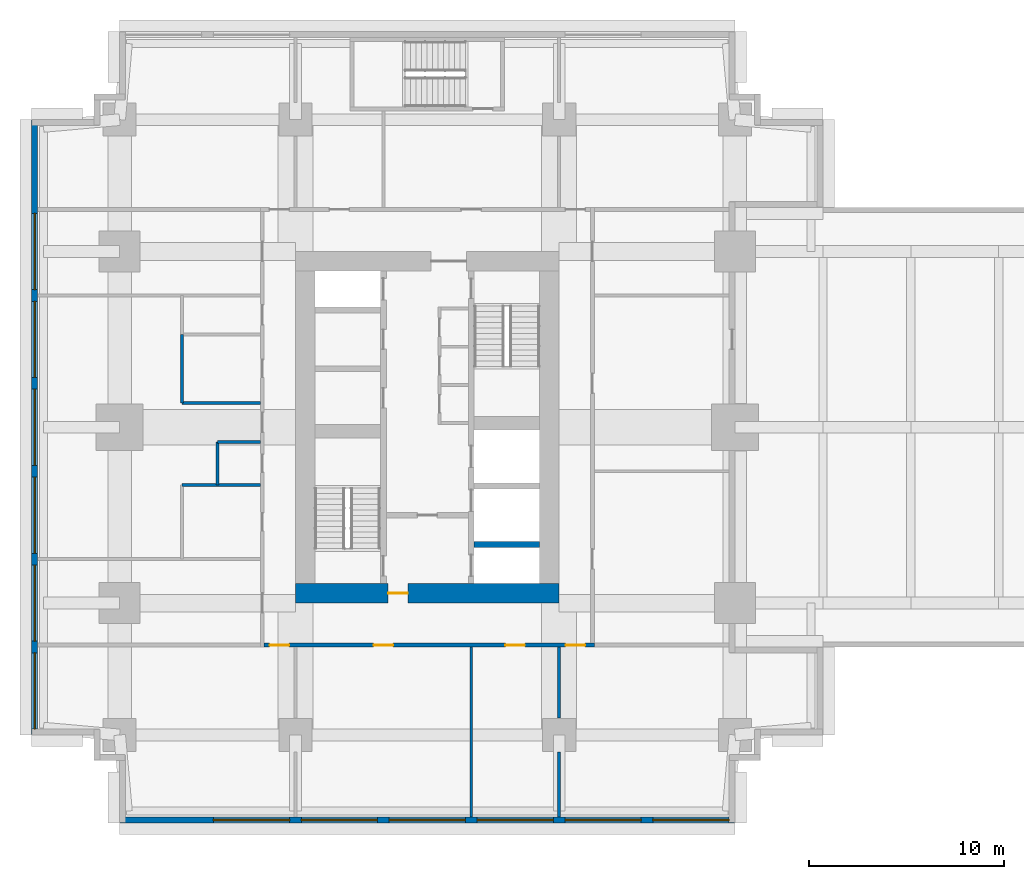
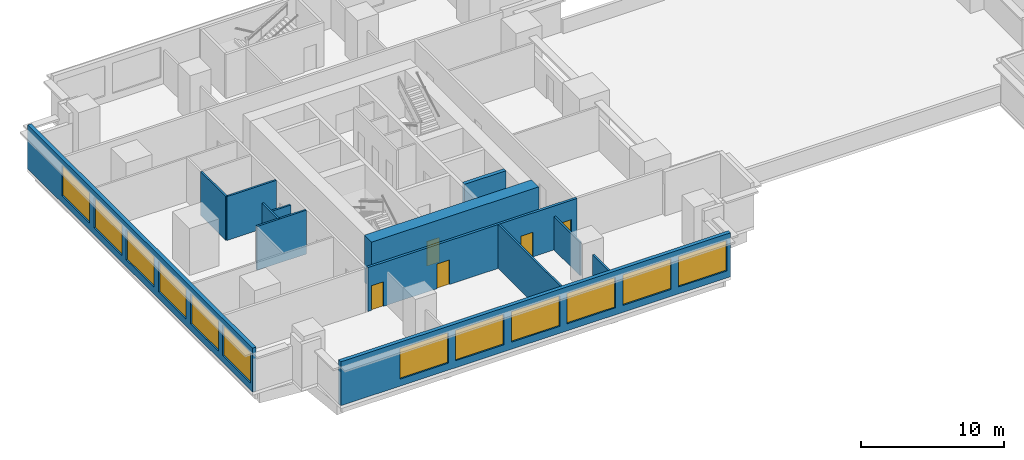
# One storey, part 3 of 10: 13 walls, 12 windows, 5 doors, 17 openings.
"""IFC4 building model written with IfcOpenShell, lengths in metres."""

from ifc_helpers import new_model, si_unit, direction, frame, frame_2d, origin, place, context, subcontext, project, spatial, rectangle, extrude, material, layer, layer_set, type_object, element, fill, save


model = new_model("IFC4")

# Units and contexts
model_context = context("Model", 3, precision=1e-05, world=origin(), true_north=direction((0.0, 1.0)))
body_context = subcontext(model_context, "Body", "Model", "MODEL_VIEW")
ifc_project = project(units=[si_unit("LENGTHUNIT", "METRE"), si_unit("AREAUNIT", "SQUARE_METRE"), si_unit("VOLUMEUNIT", "CUBIC_METRE"), si_unit("PLANEANGLEUNIT", "RADIAN"), si_unit("MASSUNIT", "GRAM", prefix="KILO")], contexts=[model_context])

# Site, building, storey
site_placement = place(None, origin())
site = spatial("IfcSite", under=ifc_project, at=site_placement, CompositionType="ELEMENT")
building_placement = place(site_placement, origin())
building = spatial("IfcBuilding", under=site, at=building_placement, Name="Namib Vertical Campus", CompositionType="ELEMENT")
storey_placement = place(building_placement, frame((0.0, 0.0, 137.0)))
storey = spatial("IfcBuildingStorey", under=building, at=storey_placement, Name="L32", CompositionType="ELEMENT", Elevation=137.0)

# Wall
ifc_material_1 = material(Name="Concrete C60/75", Category="concrete")
ifc_layer_1 = layer(ifc_material_1, 0.300048828125)
ifc_layer_set_1 = layer_set([ifc_layer_1], Name="Concrete C60/75")
wall_type_1 = type_object("IfcWallType", Name="Core inner wall 300", PredefinedType="SHEAR", material=ifc_layer_set_1)
wall_1_placement = place(storey_placement, frame((22.64990234375, 14.25, 0.0), z_axis=(0.0, 0.0, 1.0), x_axis=(1.0, 0.0, 0.0)))
element("IfcWall", 1, at=wall_1_placement, inside=storey, type_object=wall_type_1, Name="Core inner wall A L32 W5", PredefinedType="SHEAR", context=body_context, shape_type="SweptSolid", body=[
    extrude(rectangle(XDim=3.35009765625, YDim=0.300048828125, at=frame_2d((1.675048828125, 0.0))), origin(), (0.0, 0.0, 1.0), 4.0),
])

# Wall, opening, door
ifc_material_2 = material(Name="Concrete C60/75", Category="concrete")
ifc_layer_2 = layer(ifc_material_2, 1.0)
ifc_layer_set_2 = layer_set([ifc_layer_2], Name="Concrete C60/75")
wall_type_2 = type_object("IfcWallType", Name="Core wall 1000", PredefinedType="SHEAR", material=ifc_layer_set_2)
wall_2_placement = place(storey_placement, frame((13.5, 11.75, 0.0), z_axis=(0.0, 0.0, 1.0), x_axis=(1.0, 0.0, 0.0)))
wall_2 = element("IfcWall", 2, at=wall_2_placement, inside=storey, type_object=wall_type_2, Name="Core wall A L32 1", PredefinedType="SHEAR", context=body_context, shape_type="SweptSolid", body=[
    extrude(rectangle(XDim=13.5, YDim=1.0, at=frame_2d((6.75, 0.0))), origin(), (0.0, 0.0, 1.0), 4.0),
])
opening_1_placement = place(wall_2_placement, frame((4.75, 0.0, 0.0)))
opening_1 = element("IfcOpeningElement", 3, at=opening_1_placement, cuts=wall_2, Name="Opening FD5", PredefinedType="OPENING", context=body_context, shape_type="SweptSolid", body=[
    extrude(rectangle(XDim=1.0, YDim=2.10009765625, at=frame_2d((0.5, 1.050048828125))), frame((0.0, 0.510009765625, 0.0), z_axis=(0.0, -1.0, 0.0), x_axis=(1.0, 0.0, 0.0)), (0.0, 0.0, 1.0), 1.02001953125),
])
ifc_material_3 = material(Name="Steel fire door", Category="steel")
door_type_1 = type_object("IfcDoorType", Name="Fire door 1000x2100 120 min", OperationType="SINGLE_SWING_RIGHT", PredefinedType="DOOR", material=ifc_material_3)
door_1_placement = place(opening_1_placement, origin())
door_1 = element("IfcDoor", 4, at=door_1_placement, inside=storey, type_object=door_type_1, Name="Firefighting lobby door FD5 A L32", OperationType="SINGLE_SWING_LEFT", OverallHeight=2.10009765625, OverallWidth=1.0, PredefinedType="DOOR", context=body_context, shape_type="SweptSolid", body=[
    extrude(rectangle(XDim=1.0, YDim=2.10009765625, at=frame_2d((0.5, 1.050048828125))), frame((0.0, 0.02490234375, 0.0), z_axis=(0.0, -1.0, 0.0), x_axis=(1.0, 0.0, 0.0)), (0.0, 0.0, 1.0), 0.050048828125),
])
fill(opening_1, door_1)

# Wall, openings, doors
ifc_material_4 = material(Name="Concrete masonry", Category="masonry")
ifc_layer_3 = layer(ifc_material_4, 0.199951171875)
ifc_layer_set_3 = layer_set([ifc_layer_3], Name="Corridor wall 200")
wall_type_3 = type_object("IfcWallType", Name="Corridor wall 200", PredefinedType="SOLIDWALL", material=ifc_layer_set_3)
wall_3_placement = place(storey_placement, frame((11.89990234375, 9.10009765625, 0.0), z_axis=(0.0, 0.0, 1.0), x_axis=(1.0, 0.0, 0.0)))
wall_3 = element("IfcWall", 5, at=wall_3_placement, inside=storey, type_object=wall_type_3, Name="Corridor wall A L32 CS", PredefinedType="SOLIDWALL", context=body_context, shape_type="SweptSolid", body=[
    extrude(rectangle(XDim=16.900146484375, YDim=0.199951171875, at=frame_2d((8.4501953125, 0.0))), origin(), (0.0, 0.0, 1.0), 3.75),
])
opening_2_placement = place(wall_3_placement, frame((0.27490234375, 0.0, 0.0)))
opening_2 = element("IfcOpeningElement", 6, at=opening_2_placement, cuts=wall_3, Name="Opening CD1", PredefinedType="OPENING", context=body_context, shape_type="SweptSolid", body=[
    extrude(rectangle(XDim=1.0, YDim=2.10009765625, at=frame_2d((0.5, 1.050048828125))), frame((0.0, 0.10986328125, 0.0), z_axis=(0.0, -1.0, 0.0), x_axis=(1.0, 0.0, 0.0)), (0.0, 0.0, 1.0), 0.219970703125),
])
opening_3_placement = place(wall_3_placement, frame((5.60009765625, 0.0, 0.0)))
opening_3 = element("IfcOpeningElement", 7, at=opening_3_placement, cuts=wall_3, Name="Opening CD1", PredefinedType="OPENING", context=body_context, shape_type="SweptSolid", body=[
    extrude(rectangle(XDim=1.0, YDim=2.10009765625, at=frame_2d((0.5, 1.050048828125))), frame((0.0, 0.10986328125, 0.0), z_axis=(0.0, -1.0, 0.0), x_axis=(1.0, 0.0, 0.0)), (0.0, 0.0, 1.0), 0.219970703125),
])
opening_4_placement = place(wall_3_placement, frame((12.35009765625, 0.0, 0.0)))
opening_4 = element("IfcOpeningElement", 8, at=opening_4_placement, cuts=wall_3, Name="Opening CD1", PredefinedType="OPENING", context=body_context, shape_type="SweptSolid", body=[
    extrude(rectangle(XDim=1.0, YDim=2.10009765625, at=frame_2d((0.5, 1.050048828125))), frame((0.0, 0.10986328125, 0.0), z_axis=(0.0, -1.0, 0.0), x_axis=(1.0, 0.0, 0.0)), (0.0, 0.0, 1.0), 0.219970703125),
])
opening_5_placement = place(wall_3_placement, frame((15.425048828125, 0.0, 0.0)))
opening_5 = element("IfcOpeningElement", 9, at=opening_5_placement, cuts=wall_3, Name="Opening CD1", PredefinedType="OPENING", context=body_context, shape_type="SweptSolid", body=[
    extrude(rectangle(XDim=1.0, YDim=2.10009765625, at=frame_2d((0.5, 1.050048828125))), frame((0.0, 0.10986328125, 0.0), z_axis=(0.0, -1.0, 0.0), x_axis=(1.0, 0.0, 0.0)), (0.0, 0.0, 1.0), 0.219970703125),
])
ifc_material_5 = material(Name="Timber fire door leaf", Category="wood")
door_type_2 = type_object("IfcDoorType", Name="Corridor door 1000x2100 20 min", OperationType="SINGLE_SWING_LEFT", PredefinedType="DOOR", material=ifc_material_5)
door_2_placement = place(opening_2_placement, frame((1.0, 0.0, 0.0), z_axis=(0.0, 0.0, 1.0), x_axis=(-1.0, 0.0, 0.0)))
door_2 = element("IfcDoor", 10, at=door_2_placement, inside=storey, type_object=door_type_2, Name="Door CD1 A32-01", OperationType="SINGLE_SWING_LEFT", OverallHeight=2.10009765625, OverallWidth=1.0, PredefinedType="DOOR", context=body_context, shape_type="SweptSolid", body=[
    extrude(rectangle(XDim=1.0, YDim=2.10009765625, at=frame_2d((0.5, 1.050048828125))), frame((0.0, 0.02490234375, 0.0), z_axis=(0.0, -1.0, 0.0), x_axis=(1.0, 0.0, 0.0)), (0.0, 0.0, 1.0), 0.050048828125),
])
fill(opening_2, door_2)
door_3_placement = place(opening_3_placement, frame((1.0, 0.0, 0.0), z_axis=(0.0, 0.0, 1.0), x_axis=(-1.0, 0.0, 0.0)))
door_3 = element("IfcDoor", 11, at=door_3_placement, inside=storey, type_object=door_type_2, Name="Door CD1 A32-02", OperationType="SINGLE_SWING_RIGHT", OverallHeight=2.10009765625, OverallWidth=1.0, PredefinedType="DOOR", context=body_context, shape_type="SweptSolid", body=[
    extrude(rectangle(XDim=1.0, YDim=2.10009765625, at=frame_2d((0.5, 1.050048828125))), frame((0.0, 0.02490234375, 0.0), z_axis=(0.0, -1.0, 0.0), x_axis=(1.0, 0.0, 0.0)), (0.0, 0.0, 1.0), 0.050048828125),
])
fill(opening_3, door_3)
door_4_placement = place(opening_4_placement, frame((1.0, 0.0, 0.0), z_axis=(0.0, 0.0, 1.0), x_axis=(-1.0, 0.0, 0.0)))
door_4 = element("IfcDoor", 12, at=door_4_placement, inside=storey, type_object=door_type_2, Name="Door CD1 A32-03", OperationType="SINGLE_SWING_RIGHT", OverallHeight=2.10009765625, OverallWidth=1.0, PredefinedType="DOOR", context=body_context, shape_type="SweptSolid", body=[
    extrude(rectangle(XDim=1.0, YDim=2.10009765625, at=frame_2d((0.5, 1.050048828125))), frame((0.0, 0.02490234375, 0.0), z_axis=(0.0, -1.0, 0.0), x_axis=(1.0, 0.0, 0.0)), (0.0, 0.0, 1.0), 0.050048828125),
])
fill(opening_4, door_4)
door_5_placement = place(opening_5_placement, frame((1.0, 0.0, 0.0), z_axis=(0.0, 0.0, 1.0), x_axis=(-1.0, 0.0, 0.0)))
door_5 = element("IfcDoor", 13, at=door_5_placement, inside=storey, type_object=door_type_2, Name="Door CD1 A32-04", OperationType="SINGLE_SWING_RIGHT", OverallHeight=2.10009765625, OverallWidth=1.0, PredefinedType="DOOR", context=body_context, shape_type="SweptSolid", body=[
    extrude(rectangle(XDim=1.0, YDim=2.10009765625, at=frame_2d((0.5, 1.050048828125))), frame((0.0, 0.02490234375, 0.0), z_axis=(0.0, -1.0, 0.0), x_axis=(1.0, 0.0, 0.0)), (0.0, 0.0, 1.0), 0.050048828125),
])
fill(opening_5, door_5)

# Wall, openings, windows
ifc_material_6 = material(Name="Concrete C40/50", Category="concrete")
ifc_layer_4 = layer(ifc_material_6, 0.300048828125)
ifc_layer_set_4 = layer_set([ifc_layer_4], Name="Concrete C40/50")
wall_type_4 = type_object("IfcWallType", Name="External wall 300 board-marked concrete", PredefinedType="STANDARD", material=ifc_layer_set_4)
wall_4_placement = place(storey_placement, frame((4.52001953125, 0.14990234375, 0.0), z_axis=(0.0, 0.0, 1.0), x_axis=(1.0, 0.0, 0.0)))
wall_4 = element("IfcWall", 14, at=wall_4_placement, inside=storey, type_object=wall_type_4, Name="External wall L32 F02", PredefinedType="STANDARD", context=body_context, shape_type="SweptSolid", body=[
    extrude(rectangle(XDim=31.4599609375, YDim=0.300048828125, at=frame_2d((15.72998046875, 0.0))), origin(), (0.0, 0.0, 1.0), 3.75),
])
opening_6_placement = place(wall_4_placement, frame((4.780029296875, 0.0, 0.60009765625)))
opening_6 = element("IfcOpeningElement", 15, at=opening_6_placement, cuts=wall_4, Name="Opening W2", PredefinedType="OPENING", context=body_context, shape_type="SweptSolid", body=[
    extrude(rectangle(XDim=3.89990234375, YDim=2.60009765625, at=frame_2d((1.949951171875, 1.300048828125))), frame((0.0, 0.159912109375, 0.0), z_axis=(0.0, -1.0, 0.0), x_axis=(1.0, 0.0, 0.0)), (0.0, 0.0, 1.0), 0.320068359375),
])
opening_7_placement = place(wall_4_placement, frame((9.280029296875, 0.0, 0.60009765625)))
opening_7 = element("IfcOpeningElement", 16, at=opening_7_placement, cuts=wall_4, Name="Opening W2", PredefinedType="OPENING", context=body_context, shape_type="SweptSolid", body=[
    extrude(rectangle(XDim=3.89990234375, YDim=2.60009765625, at=frame_2d((1.949951171875, 1.300048828125))), frame((0.0, 0.159912109375, 0.0), z_axis=(0.0, -1.0, 0.0), x_axis=(1.0, 0.0, 0.0)), (0.0, 0.0, 1.0), 0.320068359375),
])
opening_8_placement = place(wall_4_placement, frame((13.780029296875, 0.0, 0.60009765625)))
opening_8 = element("IfcOpeningElement", 17, at=opening_8_placement, cuts=wall_4, Name="Opening W2", PredefinedType="OPENING", context=body_context, shape_type="SweptSolid", body=[
    extrude(rectangle(XDim=3.89990234375, YDim=2.60009765625, at=frame_2d((1.949951171875, 1.300048828125))), frame((0.0, 0.159912109375, 0.0), z_axis=(0.0, -1.0, 0.0), x_axis=(1.0, 0.0, 0.0)), (0.0, 0.0, 1.0), 0.320068359375),
])
opening_9_placement = place(wall_4_placement, frame((18.280029296875, 0.0, 0.60009765625)))
opening_9 = element("IfcOpeningElement", 18, at=opening_9_placement, cuts=wall_4, Name="Opening W2", PredefinedType="OPENING", context=body_context, shape_type="SweptSolid", body=[
    extrude(rectangle(XDim=3.89990234375, YDim=2.60009765625, at=frame_2d((1.949951171875, 1.300048828125))), frame((0.0, 0.159912109375, 0.0), z_axis=(0.0, -1.0, 0.0), x_axis=(1.0, 0.0, 0.0)), (0.0, 0.0, 1.0), 0.320068359375),
])
opening_10_placement = place(wall_4_placement, frame((22.780029296875, 0.0, 0.60009765625)))
opening_10 = element("IfcOpeningElement", 19, at=opening_10_placement, cuts=wall_4, Name="Opening W2", PredefinedType="OPENING", context=body_context, shape_type="SweptSolid", body=[
    extrude(rectangle(XDim=3.89990234375, YDim=2.60009765625, at=frame_2d((1.949951171875, 1.300048828125))), frame((0.0, 0.159912109375, 0.0), z_axis=(0.0, -1.0, 0.0), x_axis=(1.0, 0.0, 0.0)), (0.0, 0.0, 1.0), 0.320068359375),
])
opening_11_placement = place(wall_4_placement, frame((27.280029296875, 0.0, 0.60009765625)))
opening_11 = element("IfcOpeningElement", 20, at=opening_11_placement, cuts=wall_4, Name="Opening W2", PredefinedType="OPENING", context=body_context, shape_type="SweptSolid", body=[
    extrude(rectangle(XDim=3.89990234375, YDim=2.60009765625, at=frame_2d((1.949951171875, 1.300048828125))), frame((0.0, 0.159912109375, 0.0), z_axis=(0.0, -1.0, 0.0), x_axis=(1.0, 0.0, 0.0)), (0.0, 0.0, 1.0), 0.320068359375),
])
ifc_material_7 = material(Name="Dark tinted glass in black aluminium frame", Category="aluminium")
window_type = type_object("IfcWindowType", Name="Ribbon window 3900x2600", PartitioningType="SINGLE_PANEL", PredefinedType="WINDOW", material=ifc_material_7)
window_1_placement = place(opening_6_placement, origin())
window_1 = element("IfcWindow", 21, at=window_1_placement, inside=storey, type_object=window_type, Name="Window W2 L32 F02-2", OverallHeight=2.60009765625, OverallWidth=3.89990234375, PartitioningType="SINGLE_PANEL", PredefinedType="WINDOW", context=body_context, shape_type="SweptSolid", body=[
    extrude(rectangle(XDim=3.89990234375, YDim=2.60009765625, at=frame_2d((1.949951171875, 1.300048828125))), frame((0.0, 0.030029296875, 0.0), z_axis=(0.0, -1.0, 0.0), x_axis=(1.0, 0.0, 0.0)), (0.0, 0.0, 1.0), 0.06005859375),
])
fill(opening_6, window_1)
window_2_placement = place(opening_7_placement, origin())
window_2 = element("IfcWindow", 22, at=window_2_placement, inside=storey, type_object=window_type, Name="Window W2 L32 F02-3", OverallHeight=2.60009765625, OverallWidth=3.89990234375, PartitioningType="SINGLE_PANEL", PredefinedType="WINDOW", context=body_context, shape_type="SweptSolid", body=[
    extrude(rectangle(XDim=3.89990234375, YDim=2.60009765625, at=frame_2d((1.949951171875, 1.300048828125))), frame((0.0, 0.030029296875, 0.0), z_axis=(0.0, -1.0, 0.0), x_axis=(1.0, 0.0, 0.0)), (0.0, 0.0, 1.0), 0.06005859375),
])
fill(opening_7, window_2)
window_3_placement = place(opening_8_placement, origin())
window_3 = element("IfcWindow", 23, at=window_3_placement, inside=storey, type_object=window_type, Name="Window W2 L32 F02-4", OverallHeight=2.60009765625, OverallWidth=3.89990234375, PartitioningType="SINGLE_PANEL", PredefinedType="WINDOW", context=body_context, shape_type="SweptSolid", body=[
    extrude(rectangle(XDim=3.89990234375, YDim=2.60009765625, at=frame_2d((1.949951171875, 1.300048828125))), frame((0.0, 0.030029296875, 0.0), z_axis=(0.0, -1.0, 0.0), x_axis=(1.0, 0.0, 0.0)), (0.0, 0.0, 1.0), 0.06005859375),
])
fill(opening_8, window_3)
window_4_placement = place(opening_9_placement, origin())
window_4 = element("IfcWindow", 24, at=window_4_placement, inside=storey, type_object=window_type, Name="Window W2 L32 F02-5", OverallHeight=2.60009765625, OverallWidth=3.89990234375, PartitioningType="SINGLE_PANEL", PredefinedType="WINDOW", context=body_context, shape_type="SweptSolid", body=[
    extrude(rectangle(XDim=3.89990234375, YDim=2.60009765625, at=frame_2d((1.949951171875, 1.300048828125))), frame((0.0, 0.030029296875, 0.0), z_axis=(0.0, -1.0, 0.0), x_axis=(1.0, 0.0, 0.0)), (0.0, 0.0, 1.0), 0.06005859375),
])
fill(opening_9, window_4)
window_5_placement = place(opening_10_placement, origin())
window_5 = element("IfcWindow", 25, at=window_5_placement, inside=storey, type_object=window_type, Name="Window W2 L32 F02-6", OverallHeight=2.60009765625, OverallWidth=3.89990234375, PartitioningType="SINGLE_PANEL", PredefinedType="WINDOW", context=body_context, shape_type="SweptSolid", body=[
    extrude(rectangle(XDim=3.89990234375, YDim=2.60009765625, at=frame_2d((1.949951171875, 1.300048828125))), frame((0.0, 0.030029296875, 0.0), z_axis=(0.0, -1.0, 0.0), x_axis=(1.0, 0.0, 0.0)), (0.0, 0.0, 1.0), 0.06005859375),
])
fill(opening_10, window_5)
window_6_placement = place(opening_11_placement, origin())
window_6 = element("IfcWindow", 26, at=window_6_placement, inside=storey, type_object=window_type, Name="Window W2 L32 F02-7", OverallHeight=2.60009765625, OverallWidth=3.89990234375, PartitioningType="SINGLE_PANEL", PredefinedType="WINDOW", context=body_context, shape_type="SweptSolid", body=[
    extrude(rectangle(XDim=3.89990234375, YDim=2.60009765625, at=frame_2d((1.949951171875, 1.300048828125))), frame((0.0, 0.030029296875, 0.0), z_axis=(0.0, -1.0, 0.0), x_axis=(1.0, 0.0, 0.0)), (0.0, 0.0, 1.0), 0.06005859375),
])
fill(opening_11, window_6)

wall_5_placement = place(storey_placement, frame((0.14990234375, 35.97998046875, 0.0), z_axis=(0.0, 0.0, 1.0), x_axis=(0.0, -1.0, 0.0)))
wall_5 = element("IfcWall", 27, at=wall_5_placement, inside=storey, type_object=wall_type_4, Name="External wall L32 F21", PredefinedType="STANDARD", context=body_context, shape_type="SweptSolid", body=[
    extrude(rectangle(XDim=31.4599609375, YDim=0.300048828125, at=frame_2d((15.72998046875, 0.0))), origin(), (0.0, 0.0, 1.0), 3.75),
])
opening_12_placement = place(wall_5_placement, frame((27.280029296875, 0.0, 0.60009765625)))
opening_12 = element("IfcOpeningElement", 28, at=opening_12_placement, cuts=wall_5, Name="Opening W2", PredefinedType="OPENING", context=body_context, shape_type="SweptSolid", body=[
    extrude(rectangle(XDim=3.89990234375, YDim=2.60009765625, at=frame_2d((1.949951171875, 1.300048828125))), frame((0.0, 0.159912109375, 0.0), z_axis=(0.0, -1.0, 0.0), x_axis=(1.0, 0.0, 0.0)), (0.0, 0.0, 1.0), 0.320068359375),
])
opening_13_placement = place(wall_5_placement, frame((22.780029296875, 0.0, 0.60009765625)))
opening_13 = element("IfcOpeningElement", 29, at=opening_13_placement, cuts=wall_5, Name="Opening W2", PredefinedType="OPENING", context=body_context, shape_type="SweptSolid", body=[
    extrude(rectangle(XDim=3.89990234375, YDim=2.60009765625, at=frame_2d((1.949951171875, 1.300048828125))), frame((0.0, 0.159912109375, 0.0), z_axis=(0.0, -1.0, 0.0), x_axis=(1.0, 0.0, 0.0)), (0.0, 0.0, 1.0), 0.320068359375),
])
opening_14_placement = place(wall_5_placement, frame((18.280029296875, 0.0, 0.60009765625)))
opening_14 = element("IfcOpeningElement", 30, at=opening_14_placement, cuts=wall_5, Name="Opening W2", PredefinedType="OPENING", context=body_context, shape_type="SweptSolid", body=[
    extrude(rectangle(XDim=3.89990234375, YDim=2.60009765625, at=frame_2d((1.949951171875, 1.300048828125))), frame((0.0, 0.159912109375, 0.0), z_axis=(0.0, -1.0, 0.0), x_axis=(1.0, 0.0, 0.0)), (0.0, 0.0, 1.0), 0.320068359375),
])
opening_15_placement = place(wall_5_placement, frame((13.780029296875, 0.0, 0.60009765625)))
opening_15 = element("IfcOpeningElement", 31, at=opening_15_placement, cuts=wall_5, Name="Opening W2", PredefinedType="OPENING", context=body_context, shape_type="SweptSolid", body=[
    extrude(rectangle(XDim=3.89990234375, YDim=2.60009765625, at=frame_2d((1.949951171875, 1.300048828125))), frame((0.0, 0.159912109375, 0.0), z_axis=(0.0, -1.0, 0.0), x_axis=(1.0, 0.0, 0.0)), (0.0, 0.0, 1.0), 0.320068359375),
])
opening_16_placement = place(wall_5_placement, frame((9.280029296875, 0.0, 0.60009765625)))
opening_16 = element("IfcOpeningElement", 32, at=opening_16_placement, cuts=wall_5, Name="Opening W2", PredefinedType="OPENING", context=body_context, shape_type="SweptSolid", body=[
    extrude(rectangle(XDim=3.89990234375, YDim=2.60009765625, at=frame_2d((1.949951171875, 1.300048828125))), frame((0.0, 0.159912109375, 0.0), z_axis=(0.0, -1.0, 0.0), x_axis=(1.0, 0.0, 0.0)), (0.0, 0.0, 1.0), 0.320068359375),
])
opening_17_placement = place(wall_5_placement, frame((4.780029296875, 0.0, 0.60009765625)))
opening_17 = element("IfcOpeningElement", 33, at=opening_17_placement, cuts=wall_5, Name="Opening W2", PredefinedType="OPENING", context=body_context, shape_type="SweptSolid", body=[
    extrude(rectangle(XDim=3.89990234375, YDim=2.60009765625, at=frame_2d((1.949951171875, 1.300048828125))), frame((0.0, 0.159912109375, 0.0), z_axis=(0.0, -1.0, 0.0), x_axis=(1.0, 0.0, 0.0)), (0.0, 0.0, 1.0), 0.320068359375),
])
window_7_placement = place(opening_12_placement, origin())
window_7 = element("IfcWindow", 34, at=window_7_placement, inside=storey, type_object=window_type, Name="Window W2 L32 F21-1", OverallHeight=2.60009765625, OverallWidth=3.89990234375, PartitioningType="SINGLE_PANEL", PredefinedType="WINDOW", context=body_context, shape_type="SweptSolid", body=[
    extrude(rectangle(XDim=3.89990234375, YDim=2.60009765625, at=frame_2d((1.949951171875, 1.300048828125))), frame((0.0, 0.030029296875, 0.0), z_axis=(0.0, -1.0, 0.0), x_axis=(1.0, 0.0, 0.0)), (0.0, 0.0, 1.0), 0.06005859375),
])
fill(opening_12, window_7)
window_8_placement = place(opening_13_placement, origin())
window_8 = element("IfcWindow", 35, at=window_8_placement, inside=storey, type_object=window_type, Name="Window W2 L32 F21-2", OverallHeight=2.60009765625, OverallWidth=3.89990234375, PartitioningType="SINGLE_PANEL", PredefinedType="WINDOW", context=body_context, shape_type="SweptSolid", body=[
    extrude(rectangle(XDim=3.89990234375, YDim=2.60009765625, at=frame_2d((1.949951171875, 1.300048828125))), frame((0.0, 0.030029296875, 0.0), z_axis=(0.0, -1.0, 0.0), x_axis=(1.0, 0.0, 0.0)), (0.0, 0.0, 1.0), 0.06005859375),
])
fill(opening_13, window_8)
window_9_placement = place(opening_14_placement, origin())
window_9 = element("IfcWindow", 36, at=window_9_placement, inside=storey, type_object=window_type, Name="Window W2 L32 F21-3", OverallHeight=2.60009765625, OverallWidth=3.89990234375, PartitioningType="SINGLE_PANEL", PredefinedType="WINDOW", context=body_context, shape_type="SweptSolid", body=[
    extrude(rectangle(XDim=3.89990234375, YDim=2.60009765625, at=frame_2d((1.949951171875, 1.300048828125))), frame((0.0, 0.030029296875, 0.0), z_axis=(0.0, -1.0, 0.0), x_axis=(1.0, 0.0, 0.0)), (0.0, 0.0, 1.0), 0.06005859375),
])
fill(opening_14, window_9)
window_10_placement = place(opening_15_placement, origin())
window_10 = element("IfcWindow", 37, at=window_10_placement, inside=storey, type_object=window_type, Name="Window W2 L32 F21-4", OverallHeight=2.60009765625, OverallWidth=3.89990234375, PartitioningType="SINGLE_PANEL", PredefinedType="WINDOW", context=body_context, shape_type="SweptSolid", body=[
    extrude(rectangle(XDim=3.89990234375, YDim=2.60009765625, at=frame_2d((1.949951171875, 1.300048828125))), frame((0.0, 0.030029296875, 0.0), z_axis=(0.0, -1.0, 0.0), x_axis=(1.0, 0.0, 0.0)), (0.0, 0.0, 1.0), 0.06005859375),
])
fill(opening_15, window_10)
window_11_placement = place(opening_16_placement, origin())
window_11 = element("IfcWindow", 38, at=window_11_placement, inside=storey, type_object=window_type, Name="Window W2 L32 F21-5", OverallHeight=2.60009765625, OverallWidth=3.89990234375, PartitioningType="SINGLE_PANEL", PredefinedType="WINDOW", context=body_context, shape_type="SweptSolid", body=[
    extrude(rectangle(XDim=3.89990234375, YDim=2.60009765625, at=frame_2d((1.949951171875, 1.300048828125))), frame((0.0, 0.030029296875, 0.0), z_axis=(0.0, -1.0, 0.0), x_axis=(1.0, 0.0, 0.0)), (0.0, 0.0, 1.0), 0.06005859375),
])
fill(opening_16, window_11)
window_12_placement = place(opening_17_placement, origin())
window_12 = element("IfcWindow", 39, at=window_12_placement, inside=storey, type_object=window_type, Name="Window W2 L32 F21-6", OverallHeight=2.60009765625, OverallWidth=3.89990234375, PartitioningType="SINGLE_PANEL", PredefinedType="WINDOW", context=body_context, shape_type="SweptSolid", body=[
    extrude(rectangle(XDim=3.89990234375, YDim=2.60009765625, at=frame_2d((1.949951171875, 1.300048828125))), frame((0.0, 0.030029296875, 0.0), z_axis=(0.0, -1.0, 0.0), x_axis=(1.0, 0.0, 0.0)), (0.0, 0.0, 1.0), 0.06005859375),
])
fill(opening_17, window_12)

# Walls
ifc_material_8 = material(Name="Gypsum board on steel studs", Category="steel")
ifc_layer_5 = layer(ifc_material_8, 0.14990234375)
ifc_layer_set_5 = layer_set([ifc_layer_5], Name="Gypsum board on steel studs")
wall_type_5 = type_object("IfcWallType", Name="Partition 150", PredefinedType="PARTITIONING", material=ifc_layer_set_5)
wall_6_placement = place(storey_placement, frame((22.5, 0.300048828125, 0.0), z_axis=(0.0, 0.0, 1.0), x_axis=(0.0, 1.0, 0.0)))
element("IfcWall", 40, at=wall_6_placement, inside=storey, type_object=wall_type_5, Name="Partition A L32 PS2", PredefinedType="PARTITIONING", context=body_context, shape_type="SweptSolid", body=[
    extrude(rectangle(XDim=8.699951171875, YDim=0.14990234375, at=frame_2d((4.35009765625, 0.0))), origin(), (0.0, 0.0, 1.0), 3.75),
])
wall_7_placement = place(storey_placement, frame((27.0, 0.300048828125, 0.0), z_axis=(0.0, 0.0, 1.0), x_axis=(0.0, 1.0, 0.0)))
element("IfcWall", 41, at=wall_7_placement, inside=storey, type_object=wall_type_5, Name="Partition A L32 PS3", PredefinedType="PARTITIONING", context=body_context, shape_type="SweptSolid", body=[
    extrude(rectangle(XDim=3.329833984375, YDim=0.14990234375, at=frame_2d((1.6650390625, 0.0))), origin(), (0.0, 0.0, 1.0), 2.85009765625),
])
wall_8_placement = place(storey_placement, frame((27.0, 5.3701171875, 0.0), z_axis=(0.0, 0.0, 1.0), x_axis=(0.0, 1.0, 0.0)))
element("IfcWall", 42, at=wall_8_placement, inside=storey, type_object=wall_type_5, Name="Partition A L32 PS3", PredefinedType="PARTITIONING", context=body_context, shape_type="SweptSolid", body=[
    extrude(rectangle(XDim=3.6298828125, YDim=0.14990234375, at=frame_2d((1.81494140625, 0.0))), origin(), (0.0, 0.0, 1.0), 2.85009765625),
])
wall_9_placement = place(storey_placement, frame((11.699951171875, 17.300048828125, 0.0), z_axis=(0.0, 0.0, 1.0), x_axis=(-1.0, 0.0, 0.0)))
element("IfcWall", 43, at=wall_9_placement, inside=storey, type_object=wall_type_5, Name="Partition A L32 WR1", PredefinedType="PARTITIONING", context=body_context, shape_type="SweptSolid", body=[
    extrude(rectangle(XDim=4.0, YDim=0.14990234375, at=frame_2d((2.0, 0.0))), origin(), (0.0, 0.0, 1.0), 3.75),
])
wall_10_placement = place(storey_placement, frame((11.699951171875, 19.5, 0.0), z_axis=(0.0, 0.0, 1.0), x_axis=(-1.0, 0.0, 0.0)))
element("IfcWall", 44, at=wall_10_placement, inside=storey, type_object=wall_type_5, Name="Partition A L32 WR2", PredefinedType="PARTITIONING", context=body_context, shape_type="SweptSolid", body=[
    extrude(rectangle(XDim=2.199951171875, YDim=0.14990234375, at=frame_2d((1.10009765625, 0.0))), origin(), (0.0, 0.0, 1.0), 2.85009765625),
])
wall_11_placement = place(storey_placement, frame((11.699951171875, 21.5, 0.0), z_axis=(0.0, 0.0, 1.0), x_axis=(-1.0, 0.0, 0.0)))
element("IfcWall", 45, at=wall_11_placement, inside=storey, type_object=wall_type_5, Name="Partition A L32 WR3", PredefinedType="PARTITIONING", context=body_context, shape_type="SweptSolid", body=[
    extrude(rectangle(XDim=4.0, YDim=0.14990234375, at=frame_2d((2.0, 0.0))), origin(), (0.0, 0.0, 1.0), 3.75),
])
wall_12_placement = place(storey_placement, frame((9.5, 17.300048828125, 0.0), z_axis=(0.0, 0.0, 1.0), x_axis=(0.0, 1.0, 0.0)))
element("IfcWall", 46, at=wall_12_placement, inside=storey, type_object=wall_type_5, Name="Partition A L32 WB2", PredefinedType="PARTITIONING", context=body_context, shape_type="SweptSolid", body=[
    extrude(rectangle(XDim=2.199951171875, YDim=0.14990234375, at=frame_2d((1.10009765625, 0.0))), origin(), (0.0, 0.0, 1.0), 3.75),
])
wall_13_placement = place(storey_placement, frame((7.699951171875, 21.5, 0.0), z_axis=(0.0, 0.0, 1.0), x_axis=(0.0, 1.0, 0.0)))
element("IfcWall", 47, at=wall_13_placement, inside=storey, type_object=wall_type_5, Name="Partition A L32 WB3", PredefinedType="PARTITIONING", context=body_context, shape_type="SweptSolid", body=[
    extrude(rectangle(XDim=3.5, YDim=0.14990234375, at=frame_2d((1.75, 0.0))), origin(), (0.0, 0.0, 1.0), 3.75),
])

save(model, "model.ifc")
